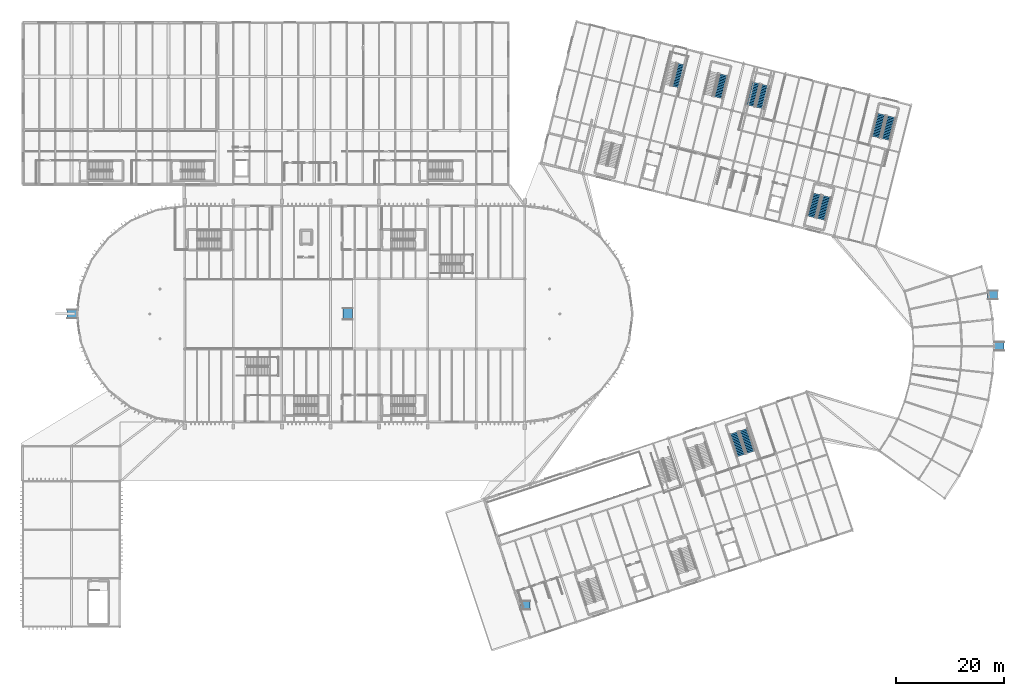
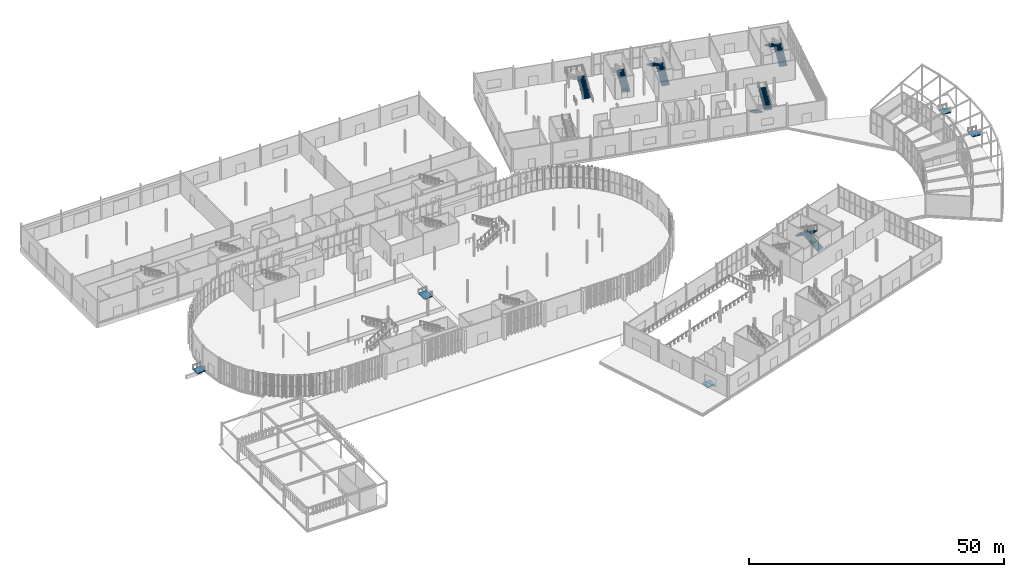
# One storey, part 132 of 158: 10 stair flights, 5 ramp flights, 11 elements without a shape of their own.
"""IFC4 building model written with IfcOpenShell, lengths in metres."""

from ifc_helpers import new_model, si_unit, derived_unit, direction, frame, origin, place, context, subcontext, project, spatial, polyline, outline, extrude, material, layer, layer_set, type_object, element, aggregate, save


model = new_model("IFC4")

# Units and contexts
model_context = context("Model", 3, precision=1e-05, world=origin(), true_north=direction((0.0, 1.0)))
body_context = subcontext(model_context, "Body", "Model", "MODEL_VIEW")
ifc_project = project(units=[si_unit("LENGTHUNIT", "METRE"), si_unit("AREAUNIT", "SQUARE_METRE"), si_unit("VOLUMEUNIT", "CUBIC_METRE"), si_unit("PLANEANGLEUNIT", "RADIAN"), si_unit("MASSUNIT", "GRAM", prefix="KILO"), si_unit("THERMODYNAMICTEMPERATUREUNIT", "KELVIN"), si_unit("TIMEUNIT", "SECOND"), derived_unit("THERMALTRANSMITTANCEUNIT", [(si_unit("MASSUNIT", "GRAM", prefix="KILO"), 1), (si_unit("THERMODYNAMICTEMPERATUREUNIT", "KELVIN"), -1), (si_unit("TIMEUNIT", "SECOND"), -3)])], contexts=[model_context])

# Site, building, storey
site_placement = place(None, origin())
site = spatial("IfcSite", under=ifc_project, at=site_placement, CompositionType="ELEMENT")
building_placement = place(site_placement, origin())
building = spatial("IfcBuilding", under=site, at=building_placement, Name="Cambertide Market Hall", CompositionType="ELEMENT")
storey_placement = place(building_placement, origin())
storey = spatial("IfcBuildingStorey", under=building, at=storey_placement, Name="L01", CompositionType="ELEMENT", Elevation=0.0)

# Stair, stair flights
ifc_material_1 = material(Name="Concrete B35", Category="concrete")
stair_type_1 = type_object("IfcStairType", Name="Concrete Dogleg Stair ST-05B", PredefinedType="HALF_TURN_STAIR", material=ifc_material_1)
stair_1_placement = place(storey_placement, origin())
stair_1 = element("IfcStair", 1, at=stair_1_placement, inside=storey, type_object=stair_type_1, Name="Level 1 Exit Stair Core 05B", PredefinedType="HALF_TURN_STAIR")
ifc_material_2 = material(Name="Concrete B35", Category="concrete")
stair_flight_type_1 = type_object("IfcStairFlightType", Name="Concrete Stair Flight ST-05B", PredefinedType="STRAIGHT", material=ifc_material_2)
stair_flight_1_placement = place(storey_placement, frame((146.896240234375, 46.397705078125, 0.0), z_axis=(0.0, 0.0, 1.0), x_axis=(-0.316227768949, 0.948683297073, 0.0)))
stair_flight_1 = element("IfcStairFlight", 2, at=stair_flight_1_placement, type_object=stair_flight_type_1, Name="ST-05B flight 1", NumberOfRisers=16, NumberOfTreads=15, PredefinedType="STRAIGHT", RiserHeight=0.16875, TreadLength=0.29, context=body_context, shape_type="SweptSolid", body=[
    extrude(outline(polyline([(0.0, 0.0), (0.0, 0.168701171875), (0.2900390625, 0.168701171875), (0.2900390625, 0.33740234375), (0.580078125, 0.33740234375), (0.580078125, 0.50634765625), (0.8701171875, 0.50634765625), (0.8701171875, 0.675048828125), (1.159912109375, 0.675048828125), (1.159912109375, 0.84375), (1.449951171875, 0.84375), (1.449951171875, 1.012451171875), (1.739990234375, 1.012451171875), (1.739990234375, 1.18115234375), (2.030029296875, 1.18115234375), (2.030029296875, 1.35009765625), (2.320068359375, 1.35009765625), (2.320068359375, 1.518798828125), (2.610107421875, 1.518798828125), (2.610107421875, 1.6875), (2.89990234375, 1.6875), (2.89990234375, 1.856201171875), (3.18994140625, 1.856201171875), (3.18994140625, 2.02490234375), (3.47998046875, 2.02490234375), (3.47998046875, 2.19384765625), (3.77001953125, 2.19384765625), (3.77001953125, 2.362548828125), (4.06005859375, 2.362548828125), (4.06005859375, 2.53125), (4.35009765625, 2.53125), (4.35009765625, 2.699951171875), (4.35009765625, 2.35791015625), (0.298095703125, 0.0), (0.0, 0.0)])), frame((0.0, 0.824951171875, 0.0), z_axis=(0.0, -1.0, 0.0), x_axis=(1.0, 0.0, 0.0)), (0.0, 0.0, 1.0), 1.64990234375),
])
stair_flight_2_placement = place(storey_placement, frame((143.765380859375, 49.939453125, 2.699951171875), z_axis=(0.0, 0.0, 1.0), x_axis=(0.316227768949, -0.948683297073, 0.0)))
stair_flight_2 = element("IfcStairFlight", 3, at=stair_flight_2_placement, type_object=stair_flight_type_1, Name="ST-05B flight 2", NumberOfRisers=16, NumberOfTreads=15, PredefinedType="STRAIGHT", RiserHeight=0.16875, TreadLength=0.29, context=body_context, shape_type="SweptSolid", body=[
    extrude(outline(polyline([(0.0, 0.0), (0.0, 0.168701171875), (0.2900390625, 0.168701171875), (0.2900390625, 0.33740234375), (0.580078125, 0.33740234375), (0.580078125, 0.50634765625), (0.8701171875, 0.50634765625), (0.8701171875, 0.675048828125), (1.159912109375, 0.675048828125), (1.159912109375, 0.84375), (1.449951171875, 0.84375), (1.449951171875, 1.012451171875), (1.739990234375, 1.012451171875), (1.739990234375, 1.18115234375), (2.030029296875, 1.18115234375), (2.030029296875, 1.35009765625), (2.320068359375, 1.35009765625), (2.320068359375, 1.518798828125), (2.610107421875, 1.518798828125), (2.610107421875, 1.6875), (2.89990234375, 1.6875), (2.89990234375, 1.856201171875), (3.18994140625, 1.856201171875), (3.18994140625, 2.02490234375), (3.47998046875, 2.02490234375), (3.47998046875, 2.19384765625), (3.77001953125, 2.19384765625), (3.77001953125, 2.362548828125), (4.06005859375, 2.362548828125), (4.06005859375, 2.53125), (4.35009765625, 2.53125), (4.35009765625, 2.699951171875), (4.35009765625, 2.35791015625), (0.298095703125, 0.0), (0.0, 0.0)])), frame((0.0, 0.824951171875, 0.0), z_axis=(0.0, -1.0, 0.0), x_axis=(1.0, 0.0, 0.0)), (0.0, 0.0, 1.0), 1.64990234375),
])
aggregate(stair_1, [stair_flight_1, stair_flight_2])

# Stair, stair flight
ifc_material_3 = material(Name="Concrete B35", Category="concrete")
stair_type_2 = type_object("IfcStairType", Name="Concrete Dogleg Stair ST-07B", PredefinedType="HALF_TURN_STAIR", material=ifc_material_3)
stair_2_placement = place(storey_placement, origin())
stair_2 = element("IfcStair", 4, at=stair_2_placement, inside=storey, type_object=stair_type_2, Name="Level 1 Exit Stair Core 07B", PredefinedType="HALF_TURN_STAIR")
ifc_material_4 = material(Name="Concrete B35", Category="concrete")
stair_flight_type_2 = type_object("IfcStairFlightType", Name="Concrete Stair Flight ST-07B", PredefinedType="STRAIGHT", material=ifc_material_4)
stair_flight_3_placement = place(storey_placement, frame((140.83935546875, 112.096435546875, 0.0), z_axis=(0.0, 0.0, 1.0), x_axis=(0.242535617113, 0.970142502126, 0.0)))
stair_flight_3 = element("IfcStairFlight", 5, at=stair_flight_3_placement, type_object=stair_flight_type_2, Name="ST-07B flight 1", NumberOfRisers=16, NumberOfTreads=15, PredefinedType="STRAIGHT", RiserHeight=0.16875, TreadLength=0.29, context=body_context, shape_type="SweptSolid", body=[
    extrude(outline(polyline([(0.0, 0.0), (0.0, 0.168701171875), (0.2900390625, 0.168701171875), (0.2900390625, 0.33740234375), (0.580078125, 0.33740234375), (0.580078125, 0.50634765625), (0.8701171875, 0.50634765625), (0.8701171875, 0.675048828125), (1.159912109375, 0.675048828125), (1.159912109375, 0.84375), (1.449951171875, 0.84375), (1.449951171875, 1.012451171875), (1.739990234375, 1.012451171875), (1.739990234375, 1.18115234375), (2.030029296875, 1.18115234375), (2.030029296875, 1.35009765625), (2.320068359375, 1.35009765625), (2.320068359375, 1.518798828125), (2.610107421875, 1.518798828125), (2.610107421875, 1.6875), (2.89990234375, 1.6875), (2.89990234375, 1.856201171875), (3.18994140625, 1.856201171875), (3.18994140625, 2.02490234375), (3.47998046875, 2.02490234375), (3.47998046875, 2.19384765625), (3.77001953125, 2.19384765625), (3.77001953125, 2.362548828125), (4.06005859375, 2.362548828125), (4.06005859375, 2.53125), (4.35009765625, 2.53125), (4.35009765625, 2.699951171875), (4.35009765625, 2.35791015625), (0.298095703125, 0.0), (0.0, 0.0)])), frame((0.0, 0.824951171875, 0.0), z_axis=(0.0, -1.0, 0.0), x_axis=(1.0, 0.0, 0.0)), (0.0, 0.0, 1.0), 1.64990234375),
])
aggregate(stair_2, [stair_flight_3])

# Stair, stair flights
ifc_material_5 = material(Name="Concrete B35", Category="concrete")
stair_type_3 = type_object("IfcStairType", Name="Concrete Dogleg Stair ST-08A", PredefinedType="HALF_TURN_STAIR", material=ifc_material_5)
stair_3_placement = place(storey_placement, origin())
stair_3 = element("IfcStair", 6, at=stair_3_placement, inside=storey, type_object=stair_type_3, Name="Level 1 Exit Stair Core 08A", PredefinedType="HALF_TURN_STAIR")
ifc_material_6 = material(Name="Concrete B35", Category="concrete")
stair_flight_type_3 = type_object("IfcStairFlightType", Name="Concrete Stair Flight ST-08A", PredefinedType="STRAIGHT", material=ifc_material_6)
stair_flight_4_placement = place(storey_placement, frame((159.19921875, 94.20947265625, 0.0), z_axis=(0.0, 0.0, 1.0), x_axis=(-0.242535617113, -0.970142502126, 0.0)))
stair_flight_4 = element("IfcStairFlight", 7, at=stair_flight_4_placement, type_object=stair_flight_type_3, Name="ST-08A flight 1", NumberOfRisers=16, NumberOfTreads=15, PredefinedType="STRAIGHT", RiserHeight=0.16875, TreadLength=0.29, context=body_context, shape_type="SweptSolid", body=[
    extrude(outline(polyline([(0.0, 0.0), (0.0, 0.168701171875), (0.2900390625, 0.168701171875), (0.2900390625, 0.33740234375), (0.580078125, 0.33740234375), (0.580078125, 0.50634765625), (0.8701171875, 0.50634765625), (0.8701171875, 0.675048828125), (1.159912109375, 0.675048828125), (1.159912109375, 0.84375), (1.449951171875, 0.84375), (1.449951171875, 1.012451171875), (1.739990234375, 1.012451171875), (1.739990234375, 1.18115234375), (2.030029296875, 1.18115234375), (2.030029296875, 1.35009765625), (2.320068359375, 1.35009765625), (2.320068359375, 1.518798828125), (2.610107421875, 1.518798828125), (2.610107421875, 1.6875), (2.89990234375, 1.6875), (2.89990234375, 1.856201171875), (3.18994140625, 1.856201171875), (3.18994140625, 2.02490234375), (3.47998046875, 2.02490234375), (3.47998046875, 2.19384765625), (3.77001953125, 2.19384765625), (3.77001953125, 2.362548828125), (4.06005859375, 2.362548828125), (4.06005859375, 2.53125), (4.35009765625, 2.53125), (4.35009765625, 2.699951171875), (4.35009765625, 2.35791015625), (0.298095703125, 0.0), (0.0, 0.0)])), frame((0.0, 0.824951171875, 0.0), z_axis=(0.0, -1.0, 0.0), x_axis=(1.0, 0.0, 0.0)), (0.0, 0.0, 1.0), 1.64990234375),
])
stair_flight_5_placement = place(storey_placement, frame((159.93896484375, 89.540771484375, 2.699951171875), z_axis=(0.0, 0.0, 1.0), x_axis=(0.242535617113, 0.970142502126, 0.0)))
stair_flight_5 = element("IfcStairFlight", 8, at=stair_flight_5_placement, type_object=stair_flight_type_3, Name="ST-08A flight 2", NumberOfRisers=16, NumberOfTreads=15, PredefinedType="STRAIGHT", RiserHeight=0.16875, TreadLength=0.29, context=body_context, shape_type="SweptSolid", body=[
    extrude(outline(polyline([(0.0, 0.0), (0.0, 0.168701171875), (0.2900390625, 0.168701171875), (0.2900390625, 0.33740234375), (0.580078125, 0.33740234375), (0.580078125, 0.50634765625), (0.8701171875, 0.50634765625), (0.8701171875, 0.675048828125), (1.159912109375, 0.675048828125), (1.159912109375, 0.84375), (1.449951171875, 0.84375), (1.449951171875, 1.012451171875), (1.739990234375, 1.012451171875), (1.739990234375, 1.18115234375), (2.030029296875, 1.18115234375), (2.030029296875, 1.35009765625), (2.320068359375, 1.35009765625), (2.320068359375, 1.518798828125), (2.610107421875, 1.518798828125), (2.610107421875, 1.6875), (2.89990234375, 1.6875), (2.89990234375, 1.856201171875), (3.18994140625, 1.856201171875), (3.18994140625, 2.02490234375), (3.47998046875, 2.02490234375), (3.47998046875, 2.19384765625), (3.77001953125, 2.19384765625), (3.77001953125, 2.362548828125), (4.06005859375, 2.362548828125), (4.06005859375, 2.53125), (4.35009765625, 2.53125), (4.35009765625, 2.699951171875), (4.35009765625, 2.35791015625), (0.298095703125, 0.0), (0.0, 0.0)])), frame((0.0, 0.824951171875, 0.0), z_axis=(0.0, -1.0, 0.0), x_axis=(1.0, 0.0, 0.0)), (0.0, 0.0, 1.0), 1.64990234375),
])
aggregate(stair_3, [stair_flight_4, stair_flight_5])

ifc_material_7 = material(Name="Concrete B35", Category="concrete")
stair_type_4 = type_object("IfcStairType", Name="Concrete Dogleg Stair ST-08B", PredefinedType="HALF_TURN_STAIR", material=ifc_material_7)
stair_4_placement = place(storey_placement, origin())
stair_4 = element("IfcStair", 9, at=stair_4_placement, inside=storey, type_object=stair_type_4, Name="Level 1 Exit Stair Core 08B", PredefinedType="HALF_TURN_STAIR")
ifc_material_8 = material(Name="Concrete B35", Category="concrete")
stair_flight_type_4 = type_object("IfcStairFlightType", Name="Concrete Stair Flight ST-08B", PredefinedType="STRAIGHT", material=ifc_material_8)
stair_flight_6_placement = place(storey_placement, frame((171.8837890625, 104.335205078125, 0.0), z_axis=(0.0, 0.0, 1.0), x_axis=(0.242535617113, 0.970142502126, 0.0)))
stair_flight_6 = element("IfcStairFlight", 10, at=stair_flight_6_placement, type_object=stair_flight_type_4, Name="ST-08B flight 1", NumberOfRisers=16, NumberOfTreads=15, PredefinedType="STRAIGHT", RiserHeight=0.16875, TreadLength=0.29, context=body_context, shape_type="SweptSolid", body=[
    extrude(outline(polyline([(0.0, 0.0), (0.0, 0.168701171875), (0.2900390625, 0.168701171875), (0.2900390625, 0.33740234375), (0.580078125, 0.33740234375), (0.580078125, 0.50634765625), (0.8701171875, 0.50634765625), (0.8701171875, 0.675048828125), (1.159912109375, 0.675048828125), (1.159912109375, 0.84375), (1.449951171875, 0.84375), (1.449951171875, 1.012451171875), (1.739990234375, 1.012451171875), (1.739990234375, 1.18115234375), (2.030029296875, 1.18115234375), (2.030029296875, 1.35009765625), (2.320068359375, 1.35009765625), (2.320068359375, 1.518798828125), (2.610107421875, 1.518798828125), (2.610107421875, 1.6875), (2.89990234375, 1.6875), (2.89990234375, 1.856201171875), (3.18994140625, 1.856201171875), (3.18994140625, 2.02490234375), (3.47998046875, 2.02490234375), (3.47998046875, 2.19384765625), (3.77001953125, 2.19384765625), (3.77001953125, 2.362548828125), (4.06005859375, 2.362548828125), (4.06005859375, 2.53125), (4.35009765625, 2.53125), (4.35009765625, 2.699951171875), (4.35009765625, 2.35791015625), (0.298095703125, 0.0), (0.0, 0.0)])), frame((0.0, 0.824951171875, 0.0), z_axis=(0.0, -1.0, 0.0), x_axis=(1.0, 0.0, 0.0)), (0.0, 0.0, 1.0), 1.64990234375),
])
stair_flight_7_placement = place(storey_placement, frame((171.14404296875, 109.004150390625, 2.699951171875), z_axis=(0.0, 0.0, 1.0), x_axis=(-0.242535617113, -0.970142502126, 0.0)))
stair_flight_7 = element("IfcStairFlight", 11, at=stair_flight_7_placement, type_object=stair_flight_type_4, Name="ST-08B flight 2", NumberOfRisers=16, NumberOfTreads=15, PredefinedType="STRAIGHT", RiserHeight=0.16875, TreadLength=0.29, context=body_context, shape_type="SweptSolid", body=[
    extrude(outline(polyline([(0.0, 0.0), (0.0, 0.168701171875), (0.2900390625, 0.168701171875), (0.2900390625, 0.33740234375), (0.580078125, 0.33740234375), (0.580078125, 0.50634765625), (0.8701171875, 0.50634765625), (0.8701171875, 0.675048828125), (1.159912109375, 0.675048828125), (1.159912109375, 0.84375), (1.449951171875, 0.84375), (1.449951171875, 1.012451171875), (1.739990234375, 1.012451171875), (1.739990234375, 1.18115234375), (2.030029296875, 1.18115234375), (2.030029296875, 1.35009765625), (2.320068359375, 1.35009765625), (2.320068359375, 1.518798828125), (2.610107421875, 1.518798828125), (2.610107421875, 1.6875), (2.89990234375, 1.6875), (2.89990234375, 1.856201171875), (3.18994140625, 1.856201171875), (3.18994140625, 2.02490234375), (3.47998046875, 2.02490234375), (3.47998046875, 2.19384765625), (3.77001953125, 2.19384765625), (3.77001953125, 2.362548828125), (4.06005859375, 2.362548828125), (4.06005859375, 2.53125), (4.35009765625, 2.53125), (4.35009765625, 2.699951171875), (4.35009765625, 2.35791015625), (0.298095703125, 0.0), (0.0, 0.0)])), frame((0.0, 0.824951171875, 0.0), z_axis=(0.0, -1.0, 0.0), x_axis=(1.0, 0.0, 0.0)), (0.0, 0.0, 1.0), 1.64990234375),
])
aggregate(stair_4, [stair_flight_6, stair_flight_7])

ifc_material_9 = material(Name="Concrete B35", Category="concrete")
stair_type_5 = type_object("IfcStairType", Name="Concrete Dogleg Stair ST-09", PredefinedType="HALF_TURN_STAIR", material=ifc_material_9)
stair_5_placement = place(storey_placement, origin())
stair_5 = element("IfcStair", 12, at=stair_5_placement, inside=storey, type_object=stair_type_5, Name="Level 1 Exit Stair Core 09", PredefinedType="HALF_TURN_STAIR")
ifc_material_10 = material(Name="Concrete B35", Category="concrete")
stair_flight_type_5 = type_object("IfcStairFlightType", Name="Concrete Stair Flight ST-09", PredefinedType="STRAIGHT", material=ifc_material_10)
stair_flight_8_placement = place(storey_placement, frame((148.600341796875, 110.15625, 0.0), z_axis=(0.0, 0.0, 1.0), x_axis=(0.242535617113, 0.970142502126, 0.0)))
stair_flight_8 = element("IfcStairFlight", 13, at=stair_flight_8_placement, type_object=stair_flight_type_5, Name="ST-09 flight 1", NumberOfRisers=16, NumberOfTreads=15, PredefinedType="STRAIGHT", RiserHeight=0.16875, TreadLength=0.29, context=body_context, shape_type="SweptSolid", body=[
    extrude(outline(polyline([(0.0, 0.0), (0.0, 0.168701171875), (0.2900390625, 0.168701171875), (0.2900390625, 0.33740234375), (0.580078125, 0.33740234375), (0.580078125, 0.50634765625), (0.8701171875, 0.50634765625), (0.8701171875, 0.675048828125), (1.159912109375, 0.675048828125), (1.159912109375, 0.84375), (1.449951171875, 0.84375), (1.449951171875, 1.012451171875), (1.739990234375, 1.012451171875), (1.739990234375, 1.18115234375), (2.030029296875, 1.18115234375), (2.030029296875, 1.35009765625), (2.320068359375, 1.35009765625), (2.320068359375, 1.518798828125), (2.610107421875, 1.518798828125), (2.610107421875, 1.6875), (2.89990234375, 1.6875), (2.89990234375, 1.856201171875), (3.18994140625, 1.856201171875), (3.18994140625, 2.02490234375), (3.47998046875, 2.02490234375), (3.47998046875, 2.19384765625), (3.77001953125, 2.19384765625), (3.77001953125, 2.362548828125), (4.06005859375, 2.362548828125), (4.06005859375, 2.53125), (4.35009765625, 2.53125), (4.35009765625, 2.699951171875), (4.35009765625, 2.35791015625), (0.298095703125, 0.0), (0.0, 0.0)])), frame((0.0, 0.824951171875, 0.0), z_axis=(0.0, -1.0, 0.0), x_axis=(1.0, 0.0, 0.0)), (0.0, 0.0, 1.0), 1.64990234375),
])
stair_flight_9_placement = place(storey_placement, frame((147.86083984375, 114.824951171875, 2.699951171875), z_axis=(0.0, 0.0, 1.0), x_axis=(-0.242535617113, -0.970142502126, 0.0)))
stair_flight_9 = element("IfcStairFlight", 14, at=stair_flight_9_placement, type_object=stair_flight_type_5, Name="ST-09 flight 2", NumberOfRisers=16, NumberOfTreads=15, PredefinedType="STRAIGHT", RiserHeight=0.16875, TreadLength=0.29, context=body_context, shape_type="SweptSolid", body=[
    extrude(outline(polyline([(0.0, 0.0), (0.0, 0.168701171875), (0.2900390625, 0.168701171875), (0.2900390625, 0.33740234375), (0.580078125, 0.33740234375), (0.580078125, 0.50634765625), (0.8701171875, 0.50634765625), (0.8701171875, 0.675048828125), (1.159912109375, 0.675048828125), (1.159912109375, 0.84375), (1.449951171875, 0.84375), (1.449951171875, 1.012451171875), (1.739990234375, 1.012451171875), (1.739990234375, 1.18115234375), (2.030029296875, 1.18115234375), (2.030029296875, 1.35009765625), (2.320068359375, 1.35009765625), (2.320068359375, 1.518798828125), (2.610107421875, 1.518798828125), (2.610107421875, 1.6875), (2.89990234375, 1.6875), (2.89990234375, 1.856201171875), (3.18994140625, 1.856201171875), (3.18994140625, 2.02490234375), (3.47998046875, 2.02490234375), (3.47998046875, 2.19384765625), (3.77001953125, 2.19384765625), (3.77001953125, 2.362548828125), (4.06005859375, 2.362548828125), (4.06005859375, 2.53125), (4.35009765625, 2.53125), (4.35009765625, 2.699951171875), (4.35009765625, 2.35791015625), (0.298095703125, 0.0), (0.0, 0.0)])), frame((0.0, 0.824951171875, 0.0), z_axis=(0.0, -1.0, 0.0), x_axis=(1.0, 0.0, 0.0)), (0.0, 0.0, 1.0), 1.64990234375),
])
aggregate(stair_5, [stair_flight_8, stair_flight_9])

# Stair, stair flight
ifc_material_11 = material(Name="Concrete B35", Category="concrete")
stair_type_6 = type_object("IfcStairType", Name="Concrete Dogleg Stair ST-13", PredefinedType="HALF_TURN_STAIR", material=ifc_material_11)
stair_6_placement = place(storey_placement, origin())
stair_6 = element("IfcStair", 15, at=stair_6_placement, inside=storey, type_object=stair_type_6, Name="Level 1 Culinary Atrium Feature Stair", PredefinedType="HALF_TURN_STAIR")
ifc_material_12 = material(Name="Concrete B35", Category="concrete")
stair_flight_type_6 = type_object("IfcStairFlightType", Name="Concrete Stair Flight ST-13", PredefinedType="STRAIGHT", material=ifc_material_12)
stair_flight_10_placement = place(storey_placement, frame((133.078125, 114.036865234375, 0.0), z_axis=(0.0, 0.0, 1.0), x_axis=(0.242535617113, 0.970142502126, 0.0)))
stair_flight_10 = element("IfcStairFlight", 16, at=stair_flight_10_placement, type_object=stair_flight_type_6, Name="ST-13 flight 1", NumberOfRisers=16, NumberOfTreads=15, PredefinedType="STRAIGHT", RiserHeight=0.16875, TreadLength=0.29, context=body_context, shape_type="SweptSolid", body=[
    extrude(outline(polyline([(0.0, 0.0), (0.0, 0.168701171875), (0.2900390625, 0.168701171875), (0.2900390625, 0.33740234375), (0.580078125, 0.33740234375), (0.580078125, 0.50634765625), (0.8701171875, 0.50634765625), (0.8701171875, 0.675048828125), (1.159912109375, 0.675048828125), (1.159912109375, 0.84375), (1.449951171875, 0.84375), (1.449951171875, 1.012451171875), (1.739990234375, 1.012451171875), (1.739990234375, 1.18115234375), (2.030029296875, 1.18115234375), (2.030029296875, 1.35009765625), (2.320068359375, 1.35009765625), (2.320068359375, 1.518798828125), (2.610107421875, 1.518798828125), (2.610107421875, 1.6875), (2.89990234375, 1.6875), (2.89990234375, 1.856201171875), (3.18994140625, 1.856201171875), (3.18994140625, 2.02490234375), (3.47998046875, 2.02490234375), (3.47998046875, 2.19384765625), (3.77001953125, 2.19384765625), (3.77001953125, 2.362548828125), (4.06005859375, 2.362548828125), (4.06005859375, 2.53125), (4.35009765625, 2.53125), (4.35009765625, 2.699951171875), (4.35009765625, 2.35791015625), (0.298095703125, 0.0), (0.0, 0.0)])), frame((0.0, 0.824951171875, 0.0), z_axis=(0.0, -1.0, 0.0), x_axis=(1.0, 0.0, 0.0)), (0.0, 0.0, 1.0), 1.64990234375),
])
aggregate(stair_6, [stair_flight_10])

# Ramp, ramp flight
ifc_material_13 = material(Name="Flamed Central-Vietnam Granite Paving", Category="masonry")
ramp_type_1 = type_object("IfcRampType", Name="Exterior Accessible Entry Ramp", PredefinedType="STRAIGHT_RUN_RAMP", material=ifc_material_13)
ramp_1_placement = place(storey_placement, origin())
ramp_1 = element("IfcRamp", 17, at=ramp_1_placement, inside=storey, type_object=ramp_type_1, Name="West Main Hall Accessible Ramp PR-01", PredefinedType="STRAIGHT_RUN_RAMP")
ifc_material_14 = material(Name="Concrete B35", Category="concrete")
ifc_layer_1 = layer(ifc_material_14, 0.199951171875, Name="Exterior Accessible Ramp Flight 200")
ifc_layer_set_1 = layer_set([ifc_layer_1], Name="Concrete B35")
ramp_flight_type_1 = type_object("IfcRampFlightType", Name="Exterior Accessible Ramp Flight 200", PredefinedType="STRAIGHT", material=ifc_layer_set_1)
ramp_flight_1_placement = place(storey_placement, frame((20.199951171875, 71.10009765625, -0.14990234375), z_axis=(-0.082989550564, 0.0, 0.996550417439), x_axis=(0.996550417439, 0.0, 0.082989550564)))
ramp_flight_1 = element("IfcRampFlight", 18, at=ramp_flight_1_placement, type_object=ramp_flight_type_1, Name="West Main Hall Accessible Ramp PR-01 Flight", PredefinedType="STRAIGHT", context=body_context, shape_type="SweptSolid", body=[
    extrude(outline(polyline([(0.0, 0.0), (1.8062797392142584, 0.0), (1.8062797392142584, 1.7998046875000004), (0.0, 1.7998046875000004), (0.0, 0.0)])), origin(), (0.0, 0.0, -1.0), 0.25),
])
aggregate(ramp_1, [ramp_flight_1])

ramp_2_placement = place(storey_placement, origin())
ramp_2 = element("IfcRamp", 19, at=ramp_2_placement, inside=storey, type_object=ramp_type_1, Name="Promenade North Entry Accessible Ramp PR-02", PredefinedType="STRAIGHT_RUN_RAMP")
ramp_flight_2_placement = place(storey_placement, frame((192.60009765625, 76.39990234375, -0.14990234375), z_axis=(0.082989550564, 0.0, 0.996550417439), x_axis=(-0.996550417439, 0.0, 0.082989550564)))
ramp_flight_2 = element("IfcRampFlight", 20, at=ramp_flight_2_placement, type_object=ramp_flight_type_1, Name="Promenade North Entry Accessible Ramp PR-02 Flight", PredefinedType="STRAIGHT", context=body_context, shape_type="SweptSolid", body=[
    extrude(outline(polyline([(0.0, 0.0), (1.8062797392142584, 0.0), (1.8062797392142584, 1.7998046875000004), (0.0, 1.7998046875000004), (0.0, 0.0)])), origin(), (0.0, 0.0, -1.0), 0.25),
])
aggregate(ramp_2, [ramp_flight_2])

ramp_3_placement = place(storey_placement, origin())
ramp_3 = element("IfcRamp", 21, at=ramp_3_placement, inside=storey, type_object=ramp_type_1, Name="Promenade Central Entry Accessible Ramp PR-03", PredefinedType="STRAIGHT_RUN_RAMP")
ramp_flight_3_placement = place(storey_placement, frame((193.800048828125, 66.89990234375, -0.14990234375), z_axis=(0.082989550564, 0.0, 0.996550417439), x_axis=(-0.996550417439, 0.0, 0.082989550564)))
ramp_flight_3 = element("IfcRampFlight", 22, at=ramp_flight_3_placement, type_object=ramp_flight_type_1, Name="Promenade Central Entry Accessible Ramp PR-03 Flight", PredefinedType="STRAIGHT", context=body_context, shape_type="SweptSolid", body=[
    extrude(outline(polyline([(0.0, 0.0), (1.8062797392142584, 0.0), (1.8062797392142584, 1.7998046875000004), (0.0, 1.7998046875000004), (0.0, 0.0)])), origin(), (0.0, 0.0, -1.0), 0.25),
])
aggregate(ramp_3, [ramp_flight_3])

ramp_4_placement = place(storey_placement, origin())
ramp_4 = element("IfcRamp", 23, at=ramp_4_placement, inside=storey, type_object=ramp_type_1, Name="Riverside Food Court Accessible Ramp PR-04", PredefinedType="STRAIGHT_RUN_RAMP")
ramp_flight_4_placement = place(storey_placement, frame((104.199951171875, 17.10009765625, -0.14990234375), z_axis=(-0.082989550564, 0.0, 0.996550417439), x_axis=(0.996550417439, 0.0, 0.082989550564)))
ramp_flight_4 = element("IfcRampFlight", 24, at=ramp_flight_4_placement, type_object=ramp_flight_type_1, Name="Riverside Food Court Accessible Ramp PR-04 Flight", PredefinedType="STRAIGHT", context=body_context, shape_type="SweptSolid", body=[
    extrude(outline(polyline([(0.0, 0.0), (1.8062797392142584, 0.0), (1.8062797392142584, 1.7998046875000004), (0.0, 1.7998046875000004), (0.0, 0.0)])), origin(), (0.0, 0.0, -1.0), 0.25),
])
aggregate(ramp_4, [ramp_flight_4])

ifc_material_15 = material(Name="Concrete B35", Category="concrete")
ramp_type_2 = type_object("IfcRampType", Name="Interior Wet-Market Washdown Ramp", PredefinedType="STRAIGHT_RUN_RAMP", material=ifc_material_15)
ramp_5_placement = place(storey_placement, origin())
ramp_5 = element("IfcRamp", 25, at=ramp_5_placement, inside=storey, type_object=ramp_type_2, Name="Wet Market Washdown Recess Accessible Ramp PR-05", PredefinedType="STRAIGHT_RUN_RAMP")
ifc_material_16 = material(Name="Concrete B35", Category="concrete")
ifc_layer_2 = layer(ifc_material_16, 0.14990234375, Name="Interior Washdown Ramp Flight 150")
ifc_layer_set_2 = layer_set([ifc_layer_2], Name="Concrete B35")
ramp_flight_type_2 = type_object("IfcRampFlightType", Name="Interior Washdown Ramp Flight 150", PredefinedType="STRAIGHT", material=ifc_layer_set_2)
ramp_flight_5_placement = place(storey_placement, frame((71.300048828125, 70.800048828125, -0.14990234375), z_axis=(-0.082989550564, 0.0, 0.996550417439), x_axis=(0.996550417439, 0.0, 0.082989550564)))
ramp_flight_5 = element("IfcRampFlight", 26, at=ramp_flight_5_placement, type_object=ramp_flight_type_2, Name="Wet Market Washdown Recess Accessible Ramp PR-05 Flight", PredefinedType="STRAIGHT", context=body_context, shape_type="SweptSolid", body=[
    extrude(outline(polyline([(0.0, 0.0), (1.8062797392142584, 0.0), (1.8062797392142584, 2.39990234375), (0.0, 2.39990234375), (0.0, 0.0)])), origin(), (0.0, 0.0, -1.0), 0.25),
])
aggregate(ramp_5, [ramp_flight_5])

save(model, "model.ifc")
